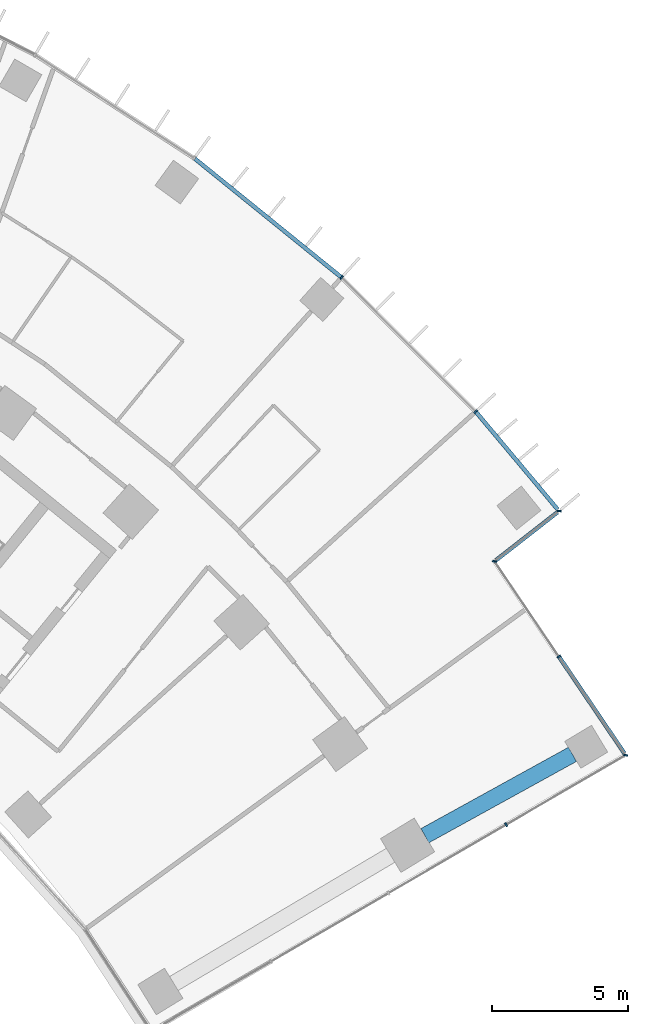
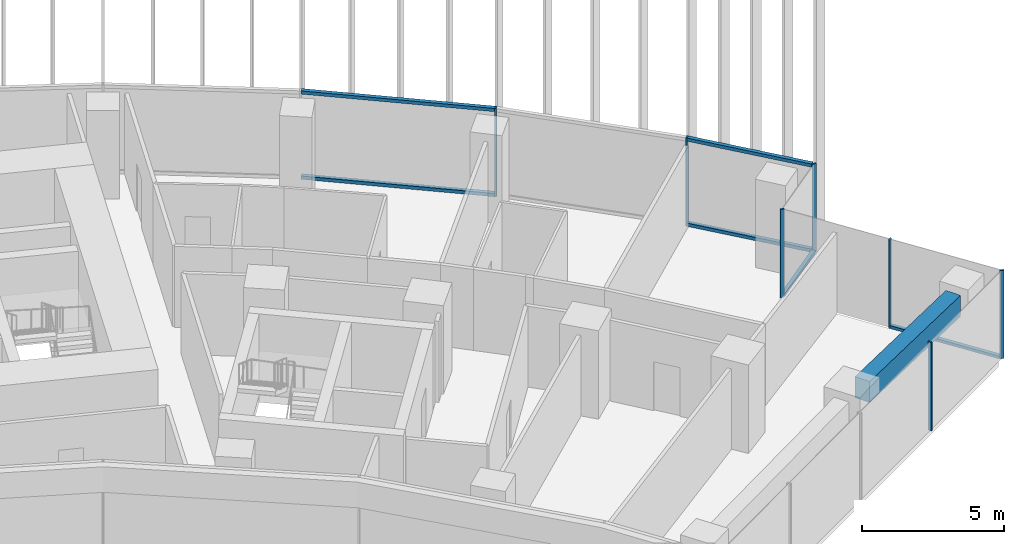
# One storey, part 10 of 22: 13 members, 1 beam, 4 elements without a shape of their own.
"""IFC4 building model written with IfcOpenShell, lengths in metres."""

from ifc_helpers import new_model, si_unit, direction, frame, origin, origin_2d, place, context, subcontext, project, spatial, rectangle, extrude, material, layer, layer_set, material_profile, profile_set, type_object, element, aggregate, save


model = new_model("IFC4")

# Units and contexts
model_context = context("Model", 3, precision=1e-05, world=origin(), true_north=direction((0.0, 1.0)))
body_context = subcontext(model_context, "Body", "Model", "MODEL_VIEW")
ifc_project = project(units=[si_unit("LENGTHUNIT", "METRE"), si_unit("AREAUNIT", "SQUARE_METRE"), si_unit("VOLUMEUNIT", "CUBIC_METRE"), si_unit("PLANEANGLEUNIT", "RADIAN"), si_unit("MASSUNIT", "GRAM", prefix="KILO")], contexts=[model_context])

# Site, building, storey
site_placement = place(None, origin())
site = spatial("IfcSite", under=ifc_project, at=site_placement, CompositionType="ELEMENT")
building_placement = place(site_placement, origin())
building = spatial("IfcBuilding", under=site, at=building_placement, Name="Stone Belt Terrace Tower", CompositionType="ELEMENT")
storey_placement = place(building_placement, frame((0.0, 0.0, 121.199951171875)))
storey = spatial("IfcBuildingStorey", under=building, at=storey_placement, Name="L29", CompositionType="ELEMENT", Elevation=121.199951171875)

# Curtain wall, members
ifc_material_1 = material(Name="Aluminium 6063-T6 anodised frame", Category="aluminium")
ifc_layer_1 = layer(ifc_material_1, 0.14990234375)
ifc_layer_set_1 = layer_set([ifc_layer_1], Name="CW-A unitised convex-face curtain wall")
curtain_wall_type_1 = type_object("IfcCurtainWallType", Name="CW-A unitised convex-face curtain wall", PredefinedType="NOTDEFINED", material=ifc_layer_set_1)
curtain_wall_1_placement = place(storey_placement, origin())
curtain_wall_1 = element("IfcCurtainWall", 1, at=curtain_wall_1_placement, inside=storey, type_object=curtain_wall_type_1, Name="CW-A convex face L29", PredefinedType="NOTDEFINED")
ifc_material_profile_1 = material_profile(ifc_material_1, rectangle(XDim=0.14990234375, YDim=0.06005859375, at=origin_2d()), Name="Aluminium 6063-T6 60x150")
ifc_profile_set_1 = profile_set([ifc_material_profile_1], Name="Aluminium 6063-T6 anodised frame")
member_type_1 = type_object("IfcMemberType", Name="CW-A mullion 60 x 150", PredefinedType="MULLION", material=ifc_profile_set_1)
member_1_placement = place(storey_placement, frame((52.539794921875, 40.89208984375, 0.0), z_axis=(0.0, 0.0, 1.0), x_axis=(-0.994464768622, 0.105070566623, 0.0)))
member_1 = element("IfcMember", 2, at=member_1_placement, type_object=member_type_1, Name="CW-A mullion 1", PredefinedType="MULLION", context=body_context, shape_type="SweptSolid", body=[
    extrude(rectangle(XDim=0.14990234375, YDim=0.06005859375, at=origin_2d()), origin(), (0.0, 0.0, 1.0), 3.800048828125),
])
member_2_placement = place(storey_placement, frame((49.474609375, 44.5478515625, 0.0), z_axis=(0.0, 0.0, 1.0), x_axis=(-0.737400080522, -0.675456231925, 0.0)))
member_2 = element("IfcMember", 3, at=member_2_placement, type_object=member_type_1, Name="CW-A mullion 2", PredefinedType="MULLION", context=body_context, shape_type="SweptSolid", body=[
    extrude(rectangle(XDim=0.14990234375, YDim=0.06005859375, at=origin_2d()), origin(), (0.0, 0.0, 1.0), 3.800048828125),
])
member_3_placement = place(storey_placement, frame((44.54736328125, 49.474853515625, 0.0), z_axis=(0.0, 0.0, 1.0), x_axis=(-0.669130606359, -0.743144825477, 0.0)))
member_3 = element("IfcMember", 4, at=member_3_placement, type_object=member_type_1, Name="CW-A mullion 3", PredefinedType="MULLION", context=body_context, shape_type="SweptSolid", body=[
    extrude(rectangle(XDim=0.14990234375, YDim=0.06005859375, at=origin_2d()), origin(), (0.0, 0.0, 1.0), 3.800048828125),
])
ifc_material_profile_2 = material_profile(ifc_material_1, rectangle(XDim=0.14990234375, YDim=0.139892578125, at=origin_2d()), Name="Aluminium 6063-T6 150x140")
ifc_profile_set_2 = profile_set([ifc_material_profile_2], Name="Aluminium 6063-T6 anodised frame")
member_type_2 = type_object("IfcMemberType", Name="CW-A transom 140 x 150", PredefinedType="USERDEFINED", material=ifc_profile_set_2)
member_4_placement = place(storey_placement, frame((52.49169921875, 40.949462890625, 0.070068359375), z_axis=(-0.642504178028, 0.766282181195, 0.0), x_axis=(-0.766282181195, -0.642504178028, 0.0)))
member_4 = element("IfcMember", 5, at=member_4_placement, type_object=member_type_2, Name="CW-A transom 1.1", ObjectType="TRANSOM", PredefinedType="USERDEFINED", context=body_context, shape_type="SweptSolid", body=[
    extrude(rectangle(XDim=0.14990234375, YDim=0.139892578125, at=origin_2d()), origin(), (0.0, 0.0, 1.0), 4.662841796875),
])
member_5_placement = place(storey_placement, frame((52.49169921875, 40.949462890625, 3.72998046875), z_axis=(-0.642504178028, 0.766282181195, 0.0), x_axis=(-0.766282181195, -0.642504178028, 0.0)))
member_5 = element("IfcMember", 6, at=member_5_placement, type_object=member_type_2, Name="CW-A transom 1.2", ObjectType="TRANSOM", PredefinedType="USERDEFINED", context=body_context, shape_type="SweptSolid", body=[
    extrude(rectangle(XDim=0.14990234375, YDim=0.139892578125, at=origin_2d()), origin(), (0.0, 0.0, 1.0), 4.662841796875),
])
member_6_placement = place(storey_placement, frame((44.52099609375, 49.496337890625, 0.070068359375), z_axis=(-0.777141048626, 0.629326457842, 0.0), x_axis=(-0.629326457842, -0.777141048626, 0.0)))
member_6 = element("IfcMember", 7, at=member_6_placement, type_object=member_type_2, Name="CW-A transom 3.1", ObjectType="TRANSOM", PredefinedType="USERDEFINED", context=body_context, shape_type="SweptSolid", body=[
    extrude(rectangle(XDim=0.14990234375, YDim=0.139892578125, at=origin_2d()), origin(), (0.0, 0.0, 1.0), 6.900634765625),
])
member_7_placement = place(storey_placement, frame((44.52099609375, 49.496337890625, 3.72998046875), z_axis=(-0.777141048626, 0.629326457842, 0.0), x_axis=(-0.629326457842, -0.777141048626, 0.0)))
member_7 = element("IfcMember", 8, at=member_7_placement, type_object=member_type_2, Name="CW-A transom 3.2", ObjectType="TRANSOM", PredefinedType="USERDEFINED", context=body_context, shape_type="SweptSolid", body=[
    extrude(rectangle(XDim=0.14990234375, YDim=0.139892578125, at=origin_2d()), origin(), (0.0, 0.0, 1.0), 6.900634765625),
])
aggregate(curtain_wall_1, [member_1, member_2, member_3, member_4, member_5, member_6, member_7])

# Curtain wall, member
ifc_layer_2 = layer(ifc_material_1, 0.14990234375)
ifc_layer_set_2 = layer_set([ifc_layer_2], Name="CW-C stick curtain wall, horn ends and notches")
curtain_wall_type_2 = type_object("IfcCurtainWallType", Name="CW-C stick curtain wall, horn ends and notches", PredefinedType="NOTDEFINED", material=ifc_layer_set_2)
curtain_wall_2_placement = place(storey_placement, origin())
curtain_wall_2 = element("IfcCurtainWall", 9, at=curtain_wall_2_placement, inside=storey, type_object=curtain_wall_type_2, Name="CW-C end face L29", PredefinedType="NOTDEFINED")
ifc_material_profile_3 = material_profile(ifc_material_1, rectangle(XDim=0.14990234375, YDim=0.06005859375, at=origin_2d()), Name="Aluminium 6063-T6 60x150")
ifc_profile_set_3 = profile_set([ifc_material_profile_3], Name="Aluminium 6063-T6 anodised frame")
member_type_3 = type_object("IfcMemberType", Name="CW-C mullion 60 x 150", PredefinedType="MULLION", material=ifc_profile_set_3)
member_8_placement = place(storey_placement, frame((50.595703125, 29.365478515625, 0.0), z_axis=(0.0, 0.0, 1.0), x_axis=(-0.503080901861, 0.864239322284, 0.0)))
member_8 = element("IfcMember", 10, at=member_8_placement, type_object=member_type_3, Name="CW-C mullion 4", PredefinedType="MULLION", context=body_context, shape_type="SweptSolid", body=[
    extrude(rectangle(XDim=0.14990234375, YDim=0.06005859375, at=origin_2d()), origin(), (0.0, 0.0, 1.0), 3.800048828125),
])
aggregate(curtain_wall_2, [member_8])

# Curtain wall, members
curtain_wall_3_placement = place(storey_placement, origin())
curtain_wall_3 = element("IfcCurtainWall", 11, at=curtain_wall_3_placement, inside=storey, type_object=curtain_wall_type_2, Name="CW-C notch face L29", PredefinedType="NOTDEFINED")
member_9_placement = place(storey_placement, frame((54.986328125, 31.921142578125, 0.0), z_axis=(0.0, 0.0, 1.0), x_axis=(-0.974926991266, 0.222524968715, 0.0)))
member_9 = element("IfcMember", 12, at=member_9_placement, type_object=member_type_3, Name="CW-C mullion 1", PredefinedType="MULLION", context=body_context, shape_type="SweptSolid", body=[
    extrude(rectangle(XDim=0.14990234375, YDim=0.06005859375, at=origin_2d()), origin(), (0.0, 0.0, 1.0), 3.800048828125),
])
member_10_placement = place(storey_placement, frame((52.53515625, 35.5439453125, 0.0), z_axis=(0.0, 0.0, 1.0), x_axis=(-0.828244257471, -0.560367245622, 0.0)))
member_10 = element("IfcMember", 13, at=member_10_placement, type_object=member_type_3, Name="CW-C mullion 2", PredefinedType="MULLION", context=body_context, shape_type="SweptSolid", body=[
    extrude(rectangle(XDim=0.14990234375, YDim=0.06005859375, at=origin_2d()), origin(), (0.0, 0.0, 1.0), 3.800048828125),
])

# Curtain wall, member
curtain_wall_4_placement = place(storey_placement, origin())
curtain_wall_4 = element("IfcCurtainWall", 14, at=curtain_wall_4_placement, inside=storey, type_object=curtain_wall_type_2, Name="CW-C notch face L29", PredefinedType="NOTDEFINED")
member_11_placement = place(storey_placement, frame((50.16845703125, 39.0419921875, 0.0), z_axis=(0.0, 0.0, 1.0), x_axis=(-0.987742281651, 0.156093513764, 0.0)))
member_11 = element("IfcMember", 15, at=member_11_placement, type_object=member_type_3, Name="CW-C mullion 1", PredefinedType="MULLION", context=body_context, shape_type="SweptSolid", body=[
    extrude(rectangle(XDim=0.14990234375, YDim=0.06005859375, at=origin_2d()), origin(), (0.0, 0.0, 1.0), 3.800048828125),
])

# Member
ifc_material_profile_4 = material_profile(ifc_material_1, rectangle(XDim=0.14990234375, YDim=0.1201171875, at=origin_2d()), Name="Aluminium 6063-T6 150x120")
ifc_profile_set_4 = profile_set([ifc_material_profile_4], Name="Aluminium 6063-T6 anodised frame")
member_type_4 = type_object("IfcMemberType", Name="CW-C transom 120 x 150", PredefinedType="USERDEFINED", material=ifc_profile_set_4)
member_12_placement = place(storey_placement, frame((54.944091796875, 31.983642578125, 0.06005859375), z_axis=(-0.560388995766, 0.828229541507, 0.0), x_axis=(-0.828229541507, -0.560388995766, 0.0)))
member_12 = element("IfcMember", 16, at=member_12_placement, type_object=member_type_4, Name="CW-C transom 1.1", ObjectType="TRANSOM", PredefinedType="USERDEFINED", context=body_context, shape_type="SweptSolid", body=[
    extrude(rectangle(XDim=0.14990234375, YDim=0.1201171875, at=origin_2d()), origin(), (0.0, 0.0, 1.0), 4.2685546875),
])

aggregate(curtain_wall_3, [member_9, member_10, member_12])

member_13_placement = place(storey_placement, frame((50.22607421875, 39.087158203125, 0.06005859375), z_axis=(0.788505618167, 0.615027552325, 0.0), x_axis=(-0.615027552325, 0.788505618167, 0.0)))
member_13 = element("IfcMember", 17, at=member_13_placement, type_object=member_type_4, Name="CW-C transom 1.1", ObjectType="TRANSOM", PredefinedType="USERDEFINED", context=body_context, shape_type="SweptSolid", body=[
    extrude(rectangle(XDim=0.14990234375, YDim=0.1201171875, at=origin_2d()), origin(), (0.0, 0.0, 1.0), 2.859619140625),
])

aggregate(curtain_wall_4, [member_11, member_13])

# Beam
ifc_material_2 = material(Name="Concrete B60", Category="concrete")
ifc_material_profile_5 = material_profile(ifc_material_2, rectangle(XDim=0.60009765625, YDim=0.89990234375, at=origin_2d()), Name="RC 600x900")
ifc_profile_set_5 = profile_set([ifc_material_profile_5], Name="Concrete B60")
beam_type = type_object("IfcBeamType", Name="Edge beam RC 600x900 B60", PredefinedType="SPANDREL", material=ifc_profile_set_5)
beam_placement = place(storey_placement, frame((47.6083984375, 28.960693359375, 3.030029296875), z_axis=(0.875764462498, 0.482738652094, 0.0), x_axis=(-0.482738652094, 0.875764462498, 0.0)))
element("IfcBeam", 18, at=beam_placement, inside=storey, type_object=beam_type, Name="Edge beam L29 B Q to R", PredefinedType="SPANDREL", context=body_context, shape_type="SweptSolid", body=[
    extrude(rectangle(XDim=0.60009765625, YDim=0.89990234375, at=origin_2d()), origin(), (0.0, 0.0, 1.0), 6.19384765625),
])

save(model, "model.ifc")
